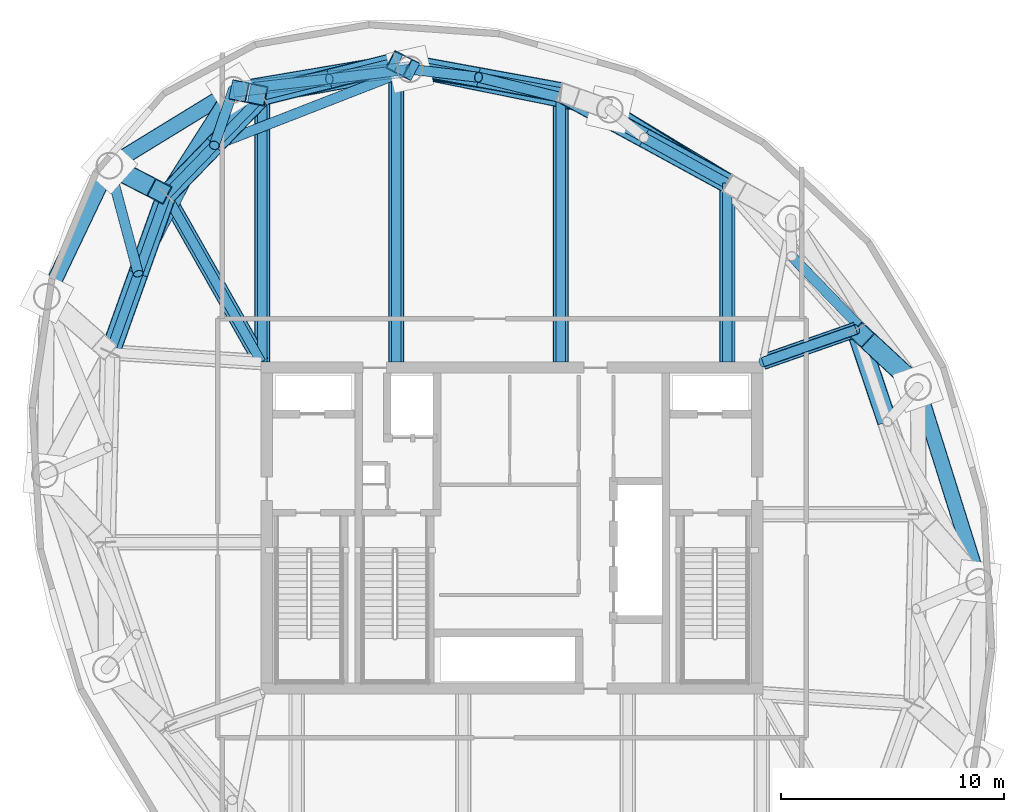
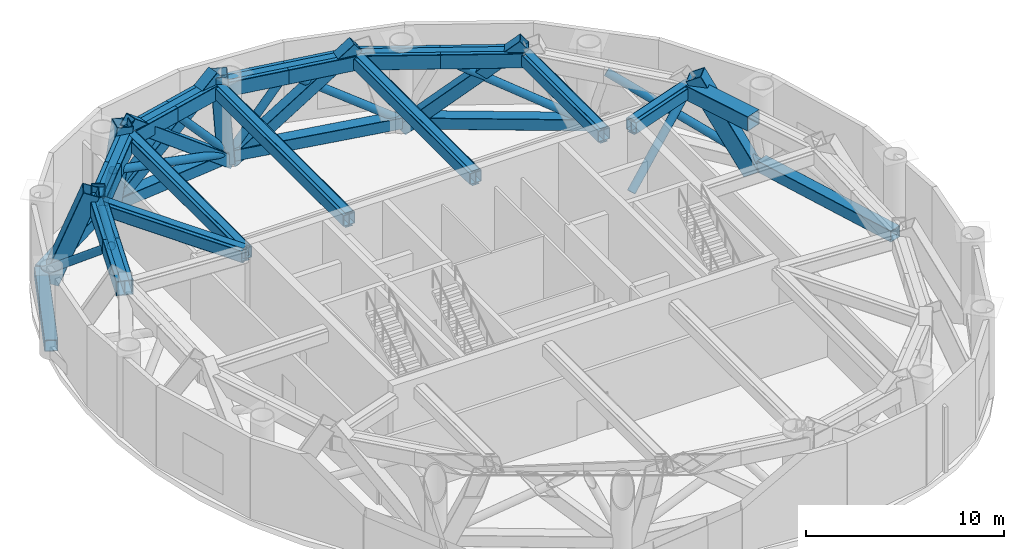
# One storey, part 3 of 9: 43 members, 11 beams.
"""IFC4 building model written with IfcOpenShell, lengths in metres."""

from ifc_helpers import new_model, si_unit, direction, frame, origin, origin_2d, place, context, subcontext, project, spatial, hollow_rectangle, hollow_circle, i_section, extrude, material, material_profile, profile_set, type_object, element, save


model = new_model("IFC4")

# Units and contexts
model_context = context("Model", 3, precision=1e-05, world=origin(), true_north=direction((0.0, 1.0)))
body_context = subcontext(model_context, "Body", "Model", "MODEL_VIEW")
ifc_project = project(units=[si_unit("LENGTHUNIT", "METRE"), si_unit("AREAUNIT", "SQUARE_METRE"), si_unit("VOLUMEUNIT", "CUBIC_METRE"), si_unit("PLANEANGLEUNIT", "RADIAN"), si_unit("MASSUNIT", "GRAM", prefix="KILO")], contexts=[model_context])

# Site, building, storey
site_placement = place(None, origin())
site = spatial("IfcSite", under=ifc_project, at=site_placement, CompositionType="ELEMENT")
building_placement = place(site_placement, origin())
building = spatial("IfcBuilding", under=site, at=building_placement, Name="Bramvorn Convention Spire", CompositionType="ELEMENT")
storey_placement = place(building_placement, frame((0.0, 0.0, 236.64990234375)))
storey = spatial("IfcBuildingStorey", under=building, at=storey_placement, Name="L60", CompositionType="ELEMENT", Elevation=236.64990234375)

# Beams
ifc_material = material(Name="Steel CSA G40.21 Grade 350 (350W)", Category="steel")
ifc_material_profile_1 = material_profile(ifc_material, i_section(OverallWidth=0.41796875, OverallDepth=0.912109375, WebThickness=0.019287109375, FlangeThickness=0.031982421875, FilletRadius=0.02392578125, at=origin_2d()))
ifc_profile_set_1 = profile_set([ifc_material_profile_1], Name="Steel CSA G40.21 Grade 350 (350W) - W920X342")
beam_type = type_object("IfcBeamType", Name="BM-W920X342", PredefinedType="BEAM", material=ifc_profile_set_1)
beam_1_placement = place(storey_placement, frame((49.25, 33.449951171875, 4.524169921875), z_axis=(0.944136391877, 0.329554962843, 0.0), x_axis=(-0.329554962843, 0.944136391877, 0.0)))
element("IfcBeam", 1, at=beam_1_placement, inside=storey, type_object=beam_type, Name="L60 step-in radial transfer girder MC05", PredefinedType="BEAM", context=body_context, shape_type="SweptSolid", body=[
    extrude(i_section(OverallWidth=0.41796875, OverallDepth=0.912109375, WebThickness=0.019287109375, FlangeThickness=0.031982421875, FilletRadius=0.02392578125, at=origin_2d()), origin(), (0.0, 0.0, 1.0), 4.43017578125),
])
beam_2_placement = place(storey_placement, frame((47.662353515625, 41.476806640625, 4.524169921875), z_axis=(-0.878133224771, 0.478416178189, 0.0), x_axis=(-0.478416178189, -0.878133224771, 0.0)))
element("IfcBeam", 2, at=beam_2_placement, inside=storey, type_object=beam_type, Name="L60 step-in transfer ring girder 06", PredefinedType="BEAM", context=body_context, shape_type="SweptSolid", body=[
    extrude(i_section(OverallWidth=0.41796875, OverallDepth=0.912109375, WebThickness=0.019287109375, FlangeThickness=0.031982421875, FilletRadius=0.02392578125, at=origin_2d()), origin(), (0.0, 0.0, 1.0), 8.515625),
])
beam_3_placement = place(storey_placement, frame((47.662353515625, 33.449951171875, 4.524169921875), z_axis=(0.0, 1.0, 0.0), x_axis=(-1.0, 0.0, 0.0)))
element("IfcBeam", 3, at=beam_3_placement, inside=storey, type_object=beam_type, Name="L60 step-in radial transfer girder MC06", PredefinedType="BEAM", context=body_context, shape_type="SweptSolid", body=[
    extrude(i_section(OverallWidth=0.41796875, OverallDepth=0.912109375, WebThickness=0.019287109375, FlangeThickness=0.031982421875, FilletRadius=0.02392578125, at=origin_2d()), origin(), (0.0, 0.0, 1.0), 8.02685546875),
])
beam_4_placement = place(storey_placement, frame((40.1845703125, 45.55078125, 4.524169921875), z_axis=(-0.983645049461, 0.180117785547, 0.0), x_axis=(-0.180117785547, -0.983645049461, 0.0)))
element("IfcBeam", 4, at=beam_4_placement, inside=storey, type_object=beam_type, Name="L60 step-in transfer ring girder 07", PredefinedType="BEAM", context=body_context, shape_type="SweptSolid", body=[
    extrude(i_section(OverallWidth=0.41796875, OverallDepth=0.912109375, WebThickness=0.019287109375, FlangeThickness=0.031982421875, FilletRadius=0.02392578125, at=origin_2d()), origin(), (0.0, 0.0, 1.0), 7.49560546875),
])
beam_5_placement = place(storey_placement, frame((40.1845703125, 33.449951171875, 4.524169921875), z_axis=(0.0, 1.0, 0.0), x_axis=(-1.0, 0.0, 0.0)))
element("IfcBeam", 5, at=beam_5_placement, inside=storey, type_object=beam_type, Name="L60 step-in radial transfer girder MC07", PredefinedType="BEAM", context=body_context, shape_type="SweptSolid", body=[
    extrude(i_section(OverallWidth=0.41796875, OverallDepth=0.912109375, WebThickness=0.019287109375, FlangeThickness=0.031982421875, FilletRadius=0.02392578125, at=origin_2d()), origin(), (0.0, 0.0, 1.0), 12.100830078125),
])
beam_6_placement = place(storey_placement, frame((32.8115234375, 46.90087890625, 4.524169921875), z_axis=(-0.970177255997, -0.24239655927, 0.0), x_axis=(0.24239655927, -0.970177255997, 0.0)))
element("IfcBeam", 6, at=beam_6_placement, inside=storey, type_object=beam_type, Name="L60 step-in transfer ring girder 08", PredefinedType="BEAM", context=body_context, shape_type="SweptSolid", body=[
    extrude(i_section(OverallWidth=0.41796875, OverallDepth=0.912109375, WebThickness=0.019287109375, FlangeThickness=0.031982421875, FilletRadius=0.02392578125, at=origin_2d()), origin(), (0.0, 0.0, 1.0), 6.1962890625),
])
beam_7_placement = place(storey_placement, frame((32.8115234375, 33.449951171875, 4.524169921875), z_axis=(0.0, 1.0, 0.0), x_axis=(-1.0, 0.0, 0.0)))
element("IfcBeam", 7, at=beam_7_placement, inside=storey, type_object=beam_type, Name="L60 step-in radial transfer girder MC08", PredefinedType="BEAM", context=body_context, shape_type="SweptSolid", body=[
    extrude(i_section(OverallWidth=0.41796875, OverallDepth=0.912109375, WebThickness=0.019287109375, FlangeThickness=0.031982421875, FilletRadius=0.02392578125, at=origin_2d()), origin(), (0.0, 0.0, 1.0), 13.450927734375),
])
beam_8_placement = place(storey_placement, frame((26.800048828125, 45.39892578125, 4.524169921875), z_axis=(-0.695007159797, -0.719002814898, 0.0), x_axis=(0.719002814898, -0.695007159797, 0.0)))
element("IfcBeam", 8, at=beam_8_placement, inside=storey, type_object=beam_type, Name="L60 step-in transfer ring girder 09", PredefinedType="BEAM", context=body_context, shape_type="SweptSolid", body=[
    extrude(i_section(OverallWidth=0.41796875, OverallDepth=0.912109375, WebThickness=0.019287109375, FlangeThickness=0.031982421875, FilletRadius=0.02392578125, at=origin_2d()), origin(), (0.0, 0.0, 1.0), 6.1962890625),
])
beam_9_placement = place(storey_placement, frame((26.800048828125, 33.449951171875, 4.524169921875), z_axis=(0.0, 1.0, 0.0), x_axis=(-1.0, 0.0, 0.0)))
element("IfcBeam", 9, at=beam_9_placement, inside=storey, type_object=beam_type, Name="L60 step-in radial transfer girder MC09", PredefinedType="BEAM", context=body_context, shape_type="SweptSolid", body=[
    extrude(i_section(OverallWidth=0.41796875, OverallDepth=0.912109375, WebThickness=0.019287109375, FlangeThickness=0.031982421875, FilletRadius=0.02392578125, at=origin_2d()), origin(), (0.0, 0.0, 1.0), 11.948974609375),
])
beam_10_placement = place(storey_placement, frame((22.49365234375, 40.94384765625, 4.524169921875), z_axis=(-0.335839090413, -0.941919373063, 0.0), x_axis=(0.941919373063, -0.335839090413, 0.0)))
element("IfcBeam", 10, at=beam_10_placement, inside=storey, type_object=beam_type, Name="L60 step-in transfer ring girder 10", PredefinedType="BEAM", context=body_context, shape_type="SweptSolid", body=[
    extrude(i_section(OverallWidth=0.41796875, OverallDepth=0.912109375, WebThickness=0.019287109375, FlangeThickness=0.031982421875, FilletRadius=0.02392578125, at=origin_2d()), origin(), (0.0, 0.0, 1.0), 7.49560546875),
])
beam_11_placement = place(storey_placement, frame((26.75, 33.449951171875, 4.524169921875), z_axis=(-0.493873612118, 0.869533699895, 0.0), x_axis=(-0.869533699895, -0.493873612118, 0.0)))
element("IfcBeam", 11, at=beam_11_placement, inside=storey, type_object=beam_type, Name="L60 step-in radial transfer girder MC10", PredefinedType="BEAM", context=body_context, shape_type="SweptSolid", body=[
    extrude(i_section(OverallWidth=0.41796875, OverallDepth=0.912109375, WebThickness=0.019287109375, FlangeThickness=0.031982421875, FilletRadius=0.02392578125, at=origin_2d()), origin(), (0.0, 0.0, 1.0), 8.618408203125),
])

# Members
ifc_material_profile_2 = material_profile(ifc_material, hollow_rectangle(XDim=0.699951171875, YDim=0.699951171875, WallThickness=0.034912109375, InnerFilletRadius=0.0009765625, OuterFilletRadius=0.034912109375, at=origin_2d()))
ifc_profile_set_2 = profile_set([ifc_material_profile_2], Name="Steel CSA G40.21 Grade 350 (350W) - BOX700X700X35")
member_type_1 = type_object("IfcMemberType", Name="MBR-BOX700X700X35", PredefinedType="CHORD", material=ifc_profile_set_2)
member_1_placement = place(storey_placement, frame((58.95458984375, 23.593505859375, 0.4501953125), z_axis=(-0.299747542929, 0.954018558786, 0.0), x_axis=(-0.954018558786, -0.299747542929, 0.0)))
element("IfcMember", 12, at=member_1_placement, inside=storey, type_object=member_type_1, Name="L60 belt truss bottom chord 3", PredefinedType="CHORD", context=body_context, shape_type="SweptSolid", body=[
    extrude(hollow_rectangle(XDim=0.699951171875, YDim=0.699951171875, WallThickness=0.034912109375, InnerFilletRadius=0.0009765625, OuterFilletRadius=0.034912109375, at=origin_2d()), origin(), (0.0, 0.0, 1.0), 9.15478515625),
])
member_2_placement = place(storey_placement, frame((50.501953125, 39.885009765625, 0.4501953125), z_axis=(-0.856581795745, 0.516011266543, 0.0), x_axis=(-0.516011266543, -0.856581795745, 0.0)))
element("IfcMember", 13, at=member_2_placement, inside=storey, type_object=member_type_1, Name="L60 belt truss bottom chord 5", PredefinedType="CHORD", context=body_context, shape_type="SweptSolid", body=[
    extrude(hollow_rectangle(XDim=0.699951171875, YDim=0.699951171875, WallThickness=0.034912109375, InnerFilletRadius=0.0009765625, OuterFilletRadius=0.034912109375, at=origin_2d()), origin(), (0.0, 0.0, 1.0), 9.47119140625),
])
member_3_placement = place(storey_placement, frame((49.25, 33.449951171875, 4.530029296875), z_axis=(0.944136391877, 0.329554962843, 0.0), x_axis=(-0.329554962843, 0.944136391877, 0.0)))
element("IfcMember", 14, at=member_3_placement, inside=storey, type_object=member_type_1, Name="L60 outrigger top tie MC05", PredefinedType="CHORD", context=body_context, shape_type="SweptSolid", body=[
    extrude(hollow_rectangle(XDim=0.699951171875, YDim=0.699951171875, WallThickness=0.034912109375, InnerFilletRadius=0.0009765625, OuterFilletRadius=0.034912109375, at=origin_2d()), origin(), (0.0, 0.0, 1.0), 4.43017578125),
])
member_4_placement = place(storey_placement, frame((42.38916015625, 44.772216796875, 0.4501953125), z_axis=(-0.980124701676, 0.198382381187, 0.0), x_axis=(-0.198382381187, -0.980124701676, 0.0)))
element("IfcMember", 15, at=member_4_placement, inside=storey, type_object=member_type_1, Name="L60 belt truss bottom chord 6", PredefinedType="CHORD", context=body_context, shape_type="SweptSolid", body=[
    extrude(hollow_rectangle(XDim=0.699951171875, YDim=0.699951171875, WallThickness=0.034912109375, InnerFilletRadius=0.0009765625, OuterFilletRadius=0.034912109375, at=origin_2d()), origin(), (0.0, 0.0, 1.0), 9.15478515625),
])
member_5_placement = place(storey_placement, frame((42.38916015625, 44.772216796875, 0.0), z_axis=(0.64027947502, -0.400133911469, 0.65569432418), x_axis=(0.529960118474, 0.848022566225, 0.0)))
element("IfcMember", 16, at=member_5_placement, inside=storey, type_object=member_type_1, Name="L60 step-in secondary transfer strut MC06", PredefinedType="CHORD", context=body_context, shape_type="SweptSolid", body=[
    extrude(hollow_rectangle(XDim=0.699951171875, YDim=0.699951171875, WallThickness=0.034912109375, InnerFilletRadius=0.0009765625, OuterFilletRadius=0.034912109375, at=origin_2d()), origin(), (0.0, 0.0, 1.0), 8.23583984375),
])
member_6_placement = place(storey_placement, frame((47.662353515625, 33.449951171875, 4.530029296875), z_axis=(0.0, 1.0, 0.0), x_axis=(-1.0, 0.0, 0.0)))
element("IfcMember", 17, at=member_6_placement, inside=storey, type_object=member_type_1, Name="L60 outrigger top tie MC06", PredefinedType="CHORD", context=body_context, shape_type="SweptSolid", body=[
    extrude(hollow_rectangle(XDim=0.699951171875, YDim=0.699951171875, WallThickness=0.034912109375, InnerFilletRadius=0.0009765625, OuterFilletRadius=0.034912109375, at=origin_2d()), origin(), (0.0, 0.0, 1.0), 8.02685546875),
])
member_7_placement = place(storey_placement, frame((33.416259765625, 46.58837890625, 0.4501953125), z_axis=(-0.993256148339, -0.115940604561, 0.0), x_axis=(0.115940604561, -0.993256148339, 0.0)))
element("IfcMember", 18, at=member_7_placement, inside=storey, type_object=member_type_1, Name="L60 belt truss bottom chord 7", PredefinedType="CHORD", context=body_context, shape_type="SweptSolid", body=[
    extrude(hollow_rectangle(XDim=0.699951171875, YDim=0.699951171875, WallThickness=0.034912109375, InnerFilletRadius=0.0009765625, OuterFilletRadius=0.034912109375, at=origin_2d()), origin(), (0.0, 0.0, 1.0), 7.974365234375),
])
member_8_placement = place(storey_placement, frame((33.416259765625, 46.58837890625, 0.0), z_axis=(0.776132293978, -0.118982875209, 0.619242874526), x_axis=(0.15153203037, 0.98845234775, 0.0)))
element("IfcMember", 19, at=member_8_placement, inside=storey, type_object=member_type_1, Name="L60 step-in secondary transfer strut MC07", PredefinedType="CHORD", context=body_context, shape_type="SweptSolid", body=[
    extrude(hollow_rectangle(XDim=0.699951171875, YDim=0.699951171875, WallThickness=0.034912109375, InnerFilletRadius=0.0009765625, OuterFilletRadius=0.034912109375, at=origin_2d()), origin(), (0.0, 0.0, 1.0), 8.720458984375),
])
member_9_placement = place(storey_placement, frame((40.1845703125, 33.449951171875, 4.530029296875), z_axis=(0.0, 1.0, 0.0), x_axis=(-1.0, 0.0, 0.0)))
element("IfcMember", 20, at=member_9_placement, inside=storey, type_object=member_type_1, Name="L60 outrigger top tie MC07", PredefinedType="CHORD", context=body_context, shape_type="SweptSolid", body=[
    extrude(hollow_rectangle(XDim=0.699951171875, YDim=0.699951171875, WallThickness=0.034912109375, InnerFilletRadius=0.0009765625, OuterFilletRadius=0.034912109375, at=origin_2d()), origin(), (0.0, 0.0, 1.0), 12.100830078125),
])
member_10_placement = place(storey_placement, frame((25.49560546875, 45.663818359375, 0.4501953125), z_axis=(-0.852616873135, -0.522536570629, 0.0), x_axis=(0.522536570629, -0.852616873135, 0.0)))
element("IfcMember", 21, at=member_10_placement, inside=storey, type_object=member_type_1, Name="L60 belt truss bottom chord 8", PredefinedType="CHORD", context=body_context, shape_type="SweptSolid", body=[
    extrude(hollow_rectangle(XDim=0.699951171875, YDim=0.699951171875, WallThickness=0.034912109375, InnerFilletRadius=0.0009765625, OuterFilletRadius=0.034912109375, at=origin_2d()), origin(), (0.0, 0.0, 1.0), 6.513916015625),
])
member_11_placement = place(storey_placement, frame((25.49560546875, 45.663818359375, 0.0), z_axis=(0.797214600777, 0.134802322036, 0.588453238823), x_axis=(-0.166724936947, 0.986003445937, 0.0)))
element("IfcMember", 22, at=member_11_placement, inside=storey, type_object=member_type_1, Name="L60 step-in secondary transfer strut MC08", PredefinedType="CHORD", context=body_context, shape_type="SweptSolid", body=[
    extrude(hollow_rectangle(XDim=0.699951171875, YDim=0.699951171875, WallThickness=0.034912109375, InnerFilletRadius=0.0009765625, OuterFilletRadius=0.034912109375, at=origin_2d()), origin(), (0.0, 0.0, 1.0), 9.1767578125),
])
member_12_placement = place(storey_placement, frame((32.8115234375, 33.449951171875, 4.530029296875), z_axis=(0.0, 1.0, 0.0), x_axis=(-1.0, 0.0, 0.0)))
element("IfcMember", 23, at=member_12_placement, inside=storey, type_object=member_type_1, Name="L60 outrigger top tie MC08", PredefinedType="CHORD", context=body_context, shape_type="SweptSolid", body=[
    extrude(hollow_rectangle(XDim=0.699951171875, YDim=0.699951171875, WallThickness=0.034912109375, InnerFilletRadius=0.0009765625, OuterFilletRadius=0.034912109375, at=origin_2d()), origin(), (0.0, 0.0, 1.0), 13.450927734375),
])
member_13_placement = place(storey_placement, frame((19.941650390625, 42.260009765625, 0.4501953125), z_axis=(-0.430556138422, -0.902563799223, 0.0), x_axis=(0.902563799223, -0.430556138422, 0.0)))
element("IfcMember", 24, at=member_13_placement, inside=storey, type_object=member_type_1, Name="L60 belt truss bottom chord 9", PredefinedType="CHORD", context=body_context, shape_type="SweptSolid", body=[
    extrude(hollow_rectangle(XDim=0.699951171875, YDim=0.699951171875, WallThickness=0.034912109375, InnerFilletRadius=0.0009765625, OuterFilletRadius=0.034912109375, at=origin_2d()), origin(), (0.0, 0.0, 1.0), 6.51416015625),
])
member_14_placement = place(storey_placement, frame((33.416259765625, 46.58837890625, 0.0), z_axis=(-0.767303223066, -0.13794469752, 0.626272324391), x_axis=(0.176941924139, -0.984221293959, 0.0)))
element("IfcMember", 25, at=member_14_placement, inside=storey, type_object=member_type_1, Name="L60 step-in secondary transfer strut MC09", PredefinedType="CHORD", context=body_context, shape_type="SweptSolid", body=[
    extrude(hollow_rectangle(XDim=0.699951171875, YDim=0.699951171875, WallThickness=0.034912109375, InnerFilletRadius=0.0009765625, OuterFilletRadius=0.034912109375, at=origin_2d()), origin(), (0.0, 0.0, 1.0), 8.622802734375),
])
member_15_placement = place(storey_placement, frame((26.800048828125, 33.449951171875, 4.530029296875), z_axis=(0.0, 1.0, 0.0), x_axis=(-1.0, 0.0, 0.0)))
element("IfcMember", 26, at=member_15_placement, inside=storey, type_object=member_type_1, Name="L60 outrigger top tie MC09", PredefinedType="CHORD", context=body_context, shape_type="SweptSolid", body=[
    extrude(hollow_rectangle(XDim=0.699951171875, YDim=0.699951171875, WallThickness=0.034912109375, InnerFilletRadius=0.0009765625, OuterFilletRadius=0.034912109375, at=origin_2d()), origin(), (0.0, 0.0, 1.0), 11.948974609375),
])
member_16_placement = place(storey_placement, frame((25.49560546875, 45.663818359375, 0.0), z_axis=(-0.386100731253, -0.607066154628, 0.694547989149), x_axis=(0.843796248366, -0.536663666782, 0.0)))
element("IfcMember", 27, at=member_16_placement, inside=storey, type_object=member_type_1, Name="L60 step-in secondary transfer strut MC10", PredefinedType="CHORD", context=body_context, shape_type="SweptSolid", body=[
    extrude(hollow_rectangle(XDim=0.699951171875, YDim=0.699951171875, WallThickness=0.034912109375, InnerFilletRadius=0.0009765625, OuterFilletRadius=0.034912109375, at=origin_2d()), origin(), (0.0, 0.0, 1.0), 7.775146484375),
])
member_17_placement = place(storey_placement, frame((26.75, 33.449951171875, 4.530029296875), z_axis=(-0.493873612118, 0.869533699895, 0.0), x_axis=(-0.869533699895, -0.493873612118, 0.0)))
element("IfcMember", 28, at=member_17_placement, inside=storey, type_object=member_type_1, Name="L60 outrigger top tie MC10", PredefinedType="CHORD", context=body_context, shape_type="SweptSolid", body=[
    extrude(hollow_rectangle(XDim=0.699951171875, YDim=0.699951171875, WallThickness=0.034912109375, InnerFilletRadius=0.0009765625, OuterFilletRadius=0.034912109375, at=origin_2d()), origin(), (0.0, 0.0, 1.0), 8.618408203125),
])
ifc_material_profile_3 = material_profile(ifc_material, hollow_rectangle(XDim=0.89990234375, YDim=0.89990234375, WallThickness=0.044921875, InnerFilletRadius=0.0009765625, OuterFilletRadius=0.044921875, at=origin_2d()))
ifc_profile_set_3 = profile_set([ifc_material_profile_3], Name="Steel CSA G40.21 Grade 350 (350W) - BOX900X900X45")
member_type_2 = type_object("IfcMemberType", Name="MBR-BOX900X900X45", PredefinedType="CHORD", material=ifc_profile_set_3)
member_18_placement = place(storey_placement, frame((54.83349609375, 30.769775390625, 4.530029296875), z_axis=(-0.320514443859, 0.947243628259, 0.0), x_axis=(-0.947243628259, -0.320514443859, 0.0)))
element("IfcMember", 29, at=member_18_placement, inside=storey, type_object=member_type_2, Name="L60 belt truss top chord 4B", PredefinedType="CHORD", context=body_context, shape_type="SweptSolid", body=[
    extrude(hollow_rectangle(XDim=0.89990234375, YDim=0.89990234375, WallThickness=0.044921875, InnerFilletRadius=0.0009765625, OuterFilletRadius=0.044921875, at=origin_2d()), origin(), (0.0, 0.0, 1.0), 4.37060546875),
])
member_19_placement = place(storey_placement, frame((55.880859375, 32.6337890625, 0.0), z_axis=(-0.355017809853, 0.330066123729, 0.874653479187), x_axis=(-0.680901529634, -0.732374977004, 0.0)))
element("IfcMember", 30, at=member_19_placement, inside=storey, type_object=member_type_2, Name="L60 step-in mega-column transfer strut MC05", PredefinedType="CHORD", context=body_context, shape_type="SweptSolid", body=[
    extrude(hollow_rectangle(XDim=0.89990234375, YDim=0.89990234375, WallThickness=0.044921875, InnerFilletRadius=0.0009765625, OuterFilletRadius=0.044921875, at=origin_2d()), origin(), (0.0, 0.0, 1.0), 6.174072265625),
])
member_20_placement = place(storey_placement, frame((47.662353515625, 41.476806640625, 4.530029296875), z_axis=(-0.878127742332, 0.478426241072, 0.0), x_axis=(-0.478426241072, -0.878127742332, 0.0)))
element("IfcMember", 31, at=member_20_placement, inside=storey, type_object=member_type_2, Name="L60 belt truss top chord 6A", PredefinedType="CHORD", context=body_context, shape_type="SweptSolid", body=[
    extrude(hollow_rectangle(XDim=0.89990234375, YDim=0.89990234375, WallThickness=0.044921875, InnerFilletRadius=0.0009765625, OuterFilletRadius=0.044921875, at=origin_2d()), origin(), (0.0, 0.0, 1.0), 4.258056640625),
])
member_21_placement = place(storey_placement, frame((43.92333984375, 43.513916015625, 4.530029296875), z_axis=(-0.878138707521, 0.478406114461, 0.0), x_axis=(-0.478406114461, -0.878138707521, 0.0)))
element("IfcMember", 32, at=member_21_placement, inside=storey, type_object=member_type_2, Name="L60 belt truss top chord 6B", PredefinedType="CHORD", context=body_context, shape_type="SweptSolid", body=[
    extrude(hollow_rectangle(XDim=0.89990234375, YDim=0.89990234375, WallThickness=0.044921875, InnerFilletRadius=0.0009765625, OuterFilletRadius=0.044921875, at=origin_2d()), origin(), (0.0, 0.0, 1.0), 4.257568359375),
])
for number, where, z_axis, x_axis, name in (
    (33, (40.1845703125, 45.55078125, 4.530029296875), (-0.983645049461, 0.180117785547, 0.0), (-0.180117785547, -0.983645049461, 0.0), "L60 belt truss top chord 7A"),
    (34, (36.498046875, 46.225830078125, 4.530029296875), (-0.983645049461, 0.180117785547, 0.0), (-0.180117785547, -0.983645049461, 0.0), "L60 belt truss top chord 7B"),
):
    element("IfcMember", number, at=place(storey_placement, frame(where, z_axis=z_axis, x_axis=x_axis)), inside=storey, type_object=member_type_2, Name=name, PredefinedType="CHORD", context=body_context, shape_type="SweptSolid", body=[
        extrude(hollow_rectangle(XDim=0.89990234375, YDim=0.89990234375, WallThickness=0.044921875, InnerFilletRadius=0.0009765625, OuterFilletRadius=0.044921875, at=origin_2d()), origin(), (0.0, 0.0, 1.0), 3.747802734375),
    ])
member_22_placement = place(storey_placement, frame((32.8115234375, 46.90087890625, 4.530029296875), z_axis=(-0.970179570929, -0.242387293712, 0.0), x_axis=(0.242387293712, -0.970179570929, 0.0)))
element("IfcMember", 35, at=member_22_placement, inside=storey, type_object=member_type_2, Name="L60 belt truss top chord 8A", PredefinedType="CHORD", context=body_context, shape_type="SweptSolid", body=[
    extrude(hollow_rectangle(XDim=0.89990234375, YDim=0.89990234375, WallThickness=0.044921875, InnerFilletRadius=0.0009765625, OuterFilletRadius=0.044921875, at=origin_2d()), origin(), (0.0, 0.0, 1.0), 3.09814453125),
])
member_23_placement = place(storey_placement, frame((29.8056640625, 46.14990234375, 4.530029296875), z_axis=(-0.9701749408, -0.242405825514, 0.0), x_axis=(0.242405825514, -0.9701749408, 0.0)))
element("IfcMember", 36, at=member_23_placement, inside=storey, type_object=member_type_2, Name="L60 belt truss top chord 8B", PredefinedType="CHORD", context=body_context, shape_type="SweptSolid", body=[
    extrude(hollow_rectangle(XDim=0.89990234375, YDim=0.89990234375, WallThickness=0.044921875, InnerFilletRadius=0.0009765625, OuterFilletRadius=0.044921875, at=origin_2d()), origin(), (0.0, 0.0, 1.0), 3.097900390625),
])
member_24_placement = place(storey_placement, frame((33.264892578125, 46.66650390625, 0.0), z_axis=(-0.061428626911, 0.031751654439, 0.99760631325), x_axis=(-0.459174488135, -0.888346097783, 0.0)))
element("IfcMember", 37, at=member_24_placement, inside=storey, type_object=member_type_2, Name="L60 step-in mega-column transfer strut MC08", PredefinedType="CHORD", context=body_context, shape_type="SweptSolid", body=[
    extrude(hollow_rectangle(XDim=0.89990234375, YDim=0.89990234375, WallThickness=0.044921875, InnerFilletRadius=0.0009765625, OuterFilletRadius=0.044921875, at=origin_2d()), origin(), (0.0, 0.0, 1.0), 5.4130859375),
])
member_25_placement = place(storey_placement, frame((26.800048828125, 45.39892578125, 4.530029296875), z_axis=(-0.695027528279, -0.718983125626, 0.0), x_axis=(0.718983125626, -0.695027528279, 0.0)))
element("IfcMember", 38, at=member_25_placement, inside=storey, type_object=member_type_2, Name="L60 belt truss top chord 9A", PredefinedType="CHORD", context=body_context, shape_type="SweptSolid", body=[
    extrude(hollow_rectangle(XDim=0.89990234375, YDim=0.89990234375, WallThickness=0.044921875, InnerFilletRadius=0.0009765625, OuterFilletRadius=0.044921875, at=origin_2d()), origin(), (0.0, 0.0, 1.0), 3.09814453125),
])
member_26_placement = place(storey_placement, frame((24.646728515625, 43.17138671875, 4.530029296875), z_axis=(-0.694986789642, -0.719022504671, 0.0), x_axis=(0.719022504671, -0.694986789642, 0.0)))
element("IfcMember", 39, at=member_26_placement, inside=storey, type_object=member_type_2, Name="L60 belt truss top chord 9B", PredefinedType="CHORD", context=body_context, shape_type="SweptSolid", body=[
    extrude(hollow_rectangle(XDim=0.89990234375, YDim=0.89990234375, WallThickness=0.044921875, InnerFilletRadius=0.0009765625, OuterFilletRadius=0.044921875, at=origin_2d()), origin(), (0.0, 0.0, 1.0), 3.097900390625),
])
member_27_placement = place(storey_placement, frame((25.821533203125, 45.59765625, 0.0), z_axis=(0.131667448733, -0.026745650525, 0.990933071969), x_axis=(0.199064927873, 0.979986303216, 0.0)))
element("IfcMember", 40, at=member_27_placement, inside=storey, type_object=member_type_2, Name="L60 step-in mega-column transfer strut MC09", PredefinedType="CHORD", context=body_context, shape_type="SweptSolid", body=[
    extrude(hollow_rectangle(XDim=0.89990234375, YDim=0.89990234375, WallThickness=0.044921875, InnerFilletRadius=0.0009765625, OuterFilletRadius=0.044921875, at=origin_2d()), origin(), (0.0, 0.0, 1.0), 5.449462890625),
])
member_28_placement = place(storey_placement, frame((22.49365234375, 40.94384765625, 4.530029296875), z_axis=(-0.335857683639, -0.941912743486, 0.0), x_axis=(0.941912743486, -0.335857683639, 0.0)))
element("IfcMember", 41, at=member_28_placement, inside=storey, type_object=member_type_2, Name="L60 belt truss top chord 10A", PredefinedType="CHORD", context=body_context, shape_type="SweptSolid", body=[
    extrude(hollow_rectangle(XDim=0.89990234375, YDim=0.89990234375, WallThickness=0.044921875, InnerFilletRadius=0.0009765625, OuterFilletRadius=0.044921875, at=origin_2d()), origin(), (0.0, 0.0, 1.0), 3.748046875),
])
member_29_placement = place(storey_placement, frame((21.23486328125, 37.41357421875, 4.530029296875), z_axis=(-0.335820495509, -0.941926002824, 0.0), x_axis=(0.941926002824, -0.335820495509, 0.0)))
element("IfcMember", 42, at=member_29_placement, inside=storey, type_object=member_type_2, Name="L60 belt truss top chord 10B", PredefinedType="CHORD", context=body_context, shape_type="SweptSolid", body=[
    extrude(hollow_rectangle(XDim=0.89990234375, YDim=0.89990234375, WallThickness=0.044921875, InnerFilletRadius=0.0009765625, OuterFilletRadius=0.044921875, at=origin_2d()), origin(), (0.0, 0.0, 1.0), 3.74755859375),
])
member_30_placement = place(storey_placement, frame((20.341552734375, 42.0537109375, 0.0), z_axis=(0.318312858642, -0.164158428227, 0.933664251466), x_axis=(0.458351686848, 0.888770910394, 0.0)))
element("IfcMember", 43, at=member_30_placement, inside=storey, type_object=member_type_2, Name="L60 step-in mega-column transfer strut MC10", PredefinedType="CHORD", context=body_context, shape_type="SweptSolid", body=[
    extrude(hollow_rectangle(XDim=0.89990234375, YDim=0.89990234375, WallThickness=0.044921875, InnerFilletRadius=0.0009765625, OuterFilletRadius=0.044921875, at=origin_2d()), origin(), (0.0, 0.0, 1.0), 5.783935546875),
])
ifc_material_profile_4 = material_profile(ifc_material, hollow_circle(Radius=0.228515625, WallThickness=0.01904296875, at=origin_2d()))
ifc_profile_set_4 = profile_set([ifc_material_profile_4], Name="Steel CSA G40.21 Grade 350 (350W) - CHS457X19")
member_type_3 = type_object("IfcMemberType", Name="MBR-CHS457X19", PredefinedType="BRACE", material=ifc_profile_set_4)
member_31_placement = place(storey_placement, frame((56.21044921875, 32.327392578125, 0.4501953125), z_axis=(-0.621119866694, 0.643399311794, 0.447490152719), x_axis=(-0.719453569576, -0.694540539656, 0.0)))
element("IfcMember", 44, at=member_31_placement, inside=storey, type_object=member_type_3, Name="L60 ring belt diagonal 5A", PredefinedType="BRACE", context=body_context, shape_type="SweptSolid", body=[
    extrude(hollow_circle(Radius=0.228515625, WallThickness=0.01904296875, at=origin_2d()), origin(), (0.0, 0.0, 1.0), 9.1171875),
])
member_32_placement = place(storey_placement, frame((49.25, 33.449951171875, 0.4501953125), z_axis=(0.694495512349, 0.242416715144, 0.6774290513), x_axis=(-0.329554962843, 0.944136391877, 0.0)))
element("IfcMember", 45, at=member_32_placement, inside=storey, type_object=member_type_3, Name="L60 outrigger web diagonal MC05", PredefinedType="BRACE", context=body_context, shape_type="SweptSolid", body=[
    extrude(hollow_circle(Radius=0.228515625, WallThickness=0.01904296875, at=origin_2d()), origin(), (0.0, 0.0, 1.0), 6.0224609375),
])
member_33_placement = place(storey_placement, frame((50.501953125, 39.885009765625, 0.4501953125), z_axis=(-0.769482883001, 0.424463503782, 0.477207320486), x_axis=(-0.483008618672, -0.875615597331, 0.0)))
element("IfcMember", 46, at=member_33_placement, inside=storey, type_object=member_type_3, Name="L60 ring belt diagonal 6A", PredefinedType="BRACE", context=body_context, shape_type="SweptSolid", body=[
    extrude(hollow_circle(Radius=0.228515625, WallThickness=0.01904296875, at=origin_2d()), origin(), (0.0, 0.0, 1.0), 8.54931640625),
])
member_34_placement = place(storey_placement, frame((42.38916015625, 44.772216796875, 0.4501953125), z_axis=(-0.805693176359, 0.198802203566, 0.557975079575), x_axis=(-0.2395617976, -0.970881117919, 0.0)))
element("IfcMember", 47, at=member_34_placement, inside=storey, type_object=member_type_3, Name="L60 ring belt diagonal 7A", PredefinedType="BRACE", context=body_context, shape_type="SweptSolid", body=[
    extrude(hollow_circle(Radius=0.228515625, WallThickness=0.01904296875, at=origin_2d()), origin(), (0.0, 0.0, 1.0), 7.311767578125),
])
member_35_placement = place(storey_placement, frame((33.416259765625, 46.58837890625, 0.4501953125), z_axis=(0.601229626573, -0.070730095497, 0.795939815389), x_axis=(0.116836682637, 0.993151141363, 0.0)))
element("IfcMember", 48, at=member_35_placement, inside=storey, type_object=member_type_3, Name="L60 ring belt diagonal 7B", PredefinedType="BRACE", context=body_context, shape_type="SweptSolid", body=[
    extrude(hollow_circle(Radius=0.228515625, WallThickness=0.01904296875, at=origin_2d()), origin(), (0.0, 0.0, 1.0), 5.125732421875),
])
member_36_placement = place(storey_placement, frame((33.416259765625, 46.58837890625, 0.4501953125), z_axis=(-0.660593494507, -0.080223538856, 0.746445188093), x_axis=(0.120555882749, -0.992706542305, 0.0)))
element("IfcMember", 49, at=member_36_placement, inside=storey, type_object=member_type_3, Name="L60 ring belt diagonal 8A", PredefinedType="BRACE", context=body_context, shape_type="SweptSolid", body=[
    extrude(hollow_circle(Radius=0.228515625, WallThickness=0.01904296875, at=origin_2d()), origin(), (0.0, 0.0, 1.0), 5.465576171875),
])
member_37_placement = place(storey_placement, frame((25.49560546875, 45.663818359375, 0.4501953125), z_axis=(0.723813196728, 0.081630909408, 0.685150239635), x_axis=(-0.112068520362, 0.993700481405, 0.0)))
element("IfcMember", 50, at=member_37_placement, inside=storey, type_object=member_type_3, Name="L60 ring belt diagonal 8B", PredefinedType="BRACE", context=body_context, shape_type="SweptSolid", body=[
    extrude(hollow_circle(Radius=0.228515625, WallThickness=0.01904296875, at=origin_2d()), origin(), (0.0, 0.0, 1.0), 5.95458984375),
])
member_38_placement = place(storey_placement, frame((25.49560546875, 45.663818359375, 0.4501953125), z_axis=(-0.174820603746, -0.51329983999, 0.840214871787), x_axis=(0.946604757986, -0.322396389805, 0.0)))
element("IfcMember", 51, at=member_38_placement, inside=storey, type_object=member_type_3, Name="L60 ring belt diagonal 9A", PredefinedType="BRACE", context=body_context, shape_type="SweptSolid", body=[
    extrude(hollow_circle(Radius=0.228515625, WallThickness=0.01904296875, at=origin_2d()), origin(), (0.0, 0.0, 1.0), 4.855712890625),
])
member_39_placement = place(storey_placement, frame((33.416259765625, 46.58837890625, 0.4501953125), z_axis=(-0.85490086919, -0.333106697249, 0.397724065285), x_axis=(0.36305706125, -0.931766907695, 0.0)))
element("IfcMember", 52, at=member_39_placement, inside=storey, type_object=member_type_3, Name="L60 ring belt diagonal 9B", PredefinedType="BRACE", context=body_context, shape_type="SweptSolid", body=[
    extrude(hollow_circle(Radius=0.228515625, WallThickness=0.01904296875, at=origin_2d()), origin(), (0.0, 0.0, 1.0), 10.258056640625),
])
member_40_placement = place(storey_placement, frame((19.941650390625, 42.260009765625, 0.4501953125), z_axis=(0.200011020003, -0.749559893918, 0.630995687233), x_axis=(0.966193727464, 0.25781714646, 0.0)))
element("IfcMember", 53, at=member_40_placement, inside=storey, type_object=member_type_3, Name="L60 ring belt diagonal 10A", PredefinedType="BRACE", context=body_context, shape_type="SweptSolid", body=[
    extrude(hollow_circle(Radius=0.228515625, WallThickness=0.01904296875, at=origin_2d()), origin(), (0.0, 0.0, 1.0), 6.4658203125),
])
member_41_placement = place(storey_placement, frame((25.49560546875, 45.663818359375, 0.4501953125), z_axis=(-0.420097783828, -0.813452006012, 0.402260718861), x_axis=(0.888508632805, -0.458859901746, 0.0)))
element("IfcMember", 54, at=member_41_placement, inside=storey, type_object=member_type_3, Name="L60 ring belt diagonal 10B", PredefinedType="BRACE", context=body_context, shape_type="SweptSolid", body=[
    extrude(hollow_circle(Radius=0.228515625, WallThickness=0.01904296875, at=origin_2d()), origin(), (0.0, 0.0, 1.0), 10.142333984375),
])

save(model, "model.ifc")
